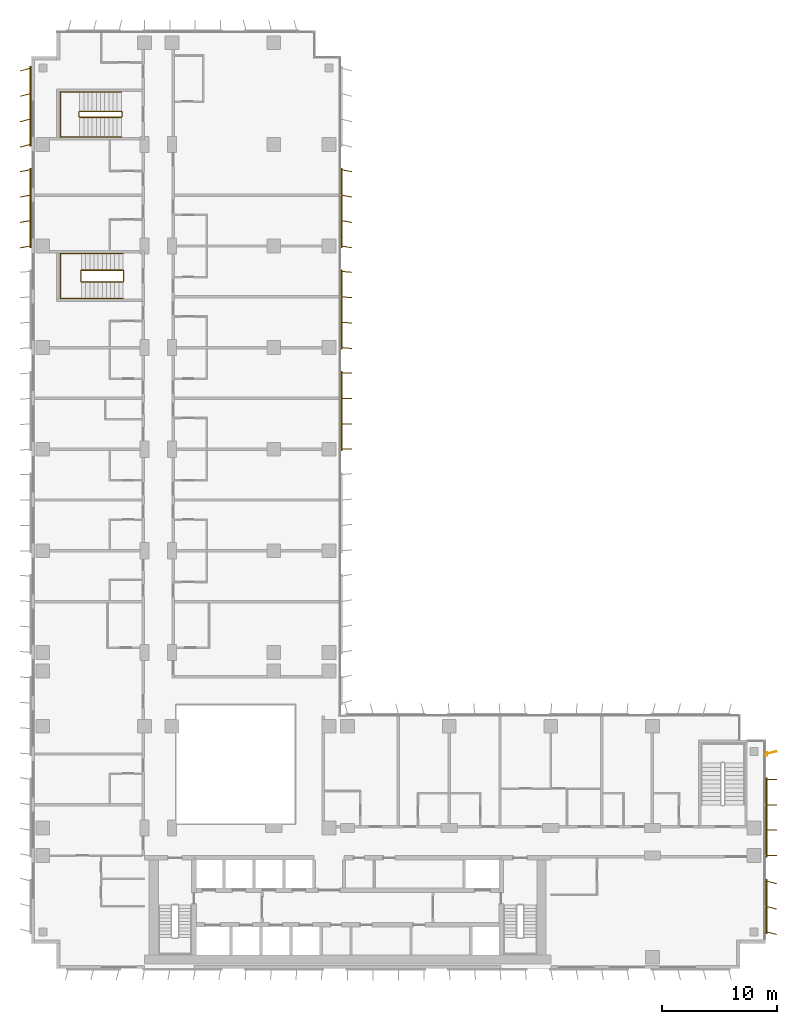
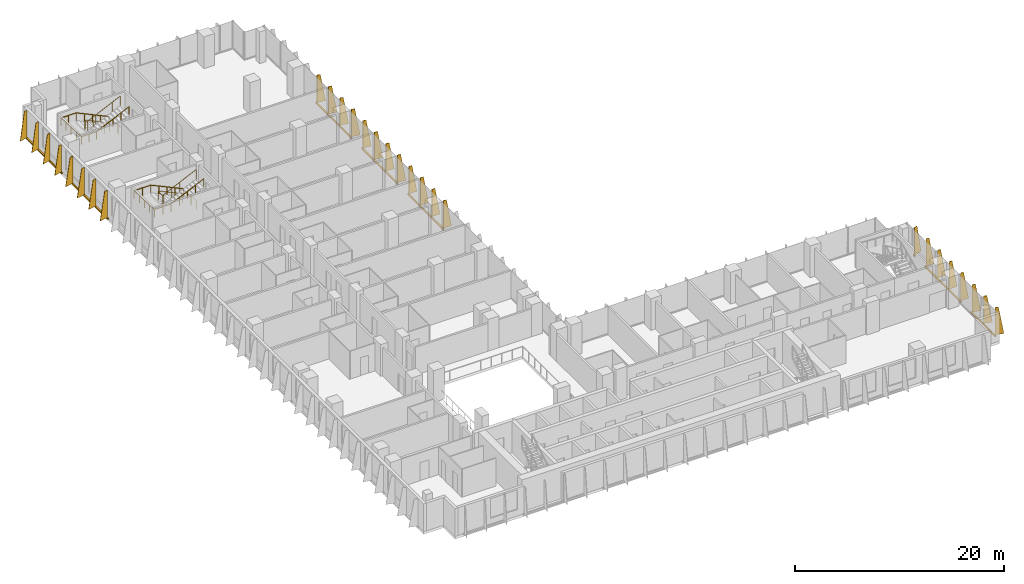
# One storey, part 21 of 22: 8 shading devices, 4 railings.
"""IFC4 building model written with IfcOpenShell, lengths in metres."""

from ifc_helpers import new_model, si_unit, direction, frame, origin, origin_2d, place, context, subcontext, project, spatial, polyline, rectangle, circle, outline, extrude, source, transform, mapped, material, layer, layer_set, type_object, element, save


model = new_model("IFC4")

# Units and contexts
model_context = context("Model", 3, precision=1e-05, world=origin(), true_north=direction((0.0, 1.0)))
body_context = subcontext(model_context, "Body", "Model", "MODEL_VIEW")
ifc_project = project(units=[si_unit("LENGTHUNIT", "METRE"), si_unit("AREAUNIT", "SQUARE_METRE"), si_unit("VOLUMEUNIT", "CUBIC_METRE"), si_unit("PLANEANGLEUNIT", "RADIAN"), si_unit("MASSUNIT", "GRAM", prefix="KILO")], contexts=[model_context])

# Site, building, storey
site_placement = place(None, origin())
site = spatial("IfcSite", under=ifc_project, at=site_placement, CompositionType="ELEMENT")
building_placement = place(site_placement, origin())
building = spatial("IfcBuilding", under=site, at=building_placement, Name="Kemantara Hotel Tower", CompositionType="ELEMENT")
storey_placement = place(building_placement, frame((0.0, 0.0, 129.60009765625)))
storey = spatial("IfcBuildingStorey", under=building, at=storey_placement, Name="L31", CompositionType="ELEMENT", Elevation=129.60009765625)

# Railings
ifc_material_1 = material(Name="Stainless steel balustrade", Category="steel")
railing_type_1 = type_object("IfcRailingType", Name="Stair guard 1100 mm", PredefinedType="GUARDRAIL", material=ifc_material_1)
railing_1_placement = place(storey_placement, frame((7.949951171875, 59.5, 3.699951171875)))
element("IfcRailing", 1, at=railing_1_placement, inside=storey, type_object=railing_type_1, Name="L31 ST4 stair guard 1", PredefinedType="GUARDRAIL", context=body_context, shape_type="SweptSolid", body=[
    extrude(circle(Radius=0.02392578125, at=origin_2d()), frame((0.0, 0.0, 1.076171875), z_axis=(-0.905994681025, 0.0, -0.423289071386), x_axis=(0.0, -1.0, 0.0)), (0.0, 0.0, 1.0), 3.973388671875),
    extrude(circle(Radius=0.02392578125, at=origin_2d()), frame((-3.599853515625, 0.0, -0.60595703125), z_axis=(-0.274243871929, 0.274243871929, -0.92172696468), x_axis=(-0.707106781187, -0.707106781187, 0.0)), (0.0, 0.0, 1.0), 0.1826171875),
    extrude(circle(Radius=0.02392578125, at=origin_2d()), frame((-3.64990234375, 0.050048828125, -0.77392578125), z_axis=(0.0, 1.0, 0.0), x_axis=(-1.0, 0.0, 0.0)), (0.0, 0.0, 1.0), 0.89990234375),
    extrude(circle(Radius=0.02392578125, at=origin_2d()), frame((-3.64990234375, 0.949951171875, -0.77392578125), z_axis=(0.707106781187, 0.707106781187, 0.0), x_axis=(-0.707106781187, 0.707106781187, 0.0)), (0.0, 0.0, 1.0), 0.07080078125),
    extrude(circle(Radius=0.02392578125, at=origin_2d()), frame((-3.599853515625, 1.0, -0.77392578125), z_axis=(0.905994681025, 0.0, -0.423289071386), x_axis=(0.0, 1.0, 0.0)), (0.0, 0.0, 1.0), 3.973388671875),
    extrude(circle(Radius=0.02392578125, at=origin_2d()), frame((0.0, 1.0, -2.4560546875), z_axis=(0.274582412415, -0.274582412415, -0.921525364591), x_axis=(0.707106781187, 0.707106781187, 0.0)), (0.0, 0.0, 1.0), 0.182373046875),
    extrude(circle(Radius=0.02392578125, at=origin_2d()), frame((0.050048828125, 0.949951171875, -2.6240234375), z_axis=(0.0, -1.0, 0.0), x_axis=(1.0, 0.0, 0.0)), (0.0, 0.0, 1.0), 0.89990234375),
    extrude(circle(Radius=0.02099609375, at=origin_2d()), origin(), (0.0, 0.0, 1.0), 1.052001953125),
    extrude(circle(Radius=0.02099609375, at=origin_2d()), frame((-0.89990234375, 0.0, -0.42041015625)), (0.0, 0.0, 1.0), 1.052001953125),
    extrude(circle(Radius=0.02099609375, at=origin_2d()), frame((-1.7998046875, 0.0, -0.8408203125)), (0.0, 0.0, 1.0), 1.052001953125),
    extrude(circle(Radius=0.02099609375, at=origin_2d()), frame((-2.699951171875, 0.0, -1.261474609375)), (0.0, 0.0, 1.0), 1.052001953125),
    extrude(circle(Radius=0.02099609375, at=origin_2d()), frame((-3.599853515625, 0.0, -1.681884765625)), (0.0, 0.0, 1.0), 1.052001953125),
    extrude(circle(Radius=0.02099609375, at=origin_2d()), frame((-3.64990234375, 0.050048828125, -1.85009765625)), (0.0, 0.0, 1.0), 1.052001953125),
    extrude(circle(Radius=0.02099609375, at=origin_2d()), frame((-3.64990234375, 0.949951171875, -1.85009765625)), (0.0, 0.0, 1.0), 1.052001953125),
    extrude(circle(Radius=0.02099609375, at=origin_2d()), frame((-3.599853515625, 1.0, -1.85009765625)), (0.0, 0.0, 1.0), 1.052001953125),
    extrude(circle(Radius=0.02099609375, at=origin_2d()), frame((-2.699951171875, 1.0, -2.2705078125)), (0.0, 0.0, 1.0), 1.052001953125),
    extrude(circle(Radius=0.02099609375, at=origin_2d()), frame((-1.7998046875, 1.0, -2.69091796875)), (0.0, 0.0, 1.0), 1.052001953125),
    extrude(circle(Radius=0.02099609375, at=origin_2d()), frame((-0.89990234375, 1.0, -3.111572265625)), (0.0, 0.0, 1.0), 1.052001953125),
    extrude(circle(Radius=0.02099609375, at=origin_2d()), frame((0.0, 1.0, -3.531982421875)), (0.0, 0.0, 1.0), 1.052001953125),
    extrude(circle(Radius=0.02099609375, at=origin_2d()), frame((0.050048828125, 0.949951171875, -3.699951171875)), (0.0, 0.0, 1.0), 1.052001953125),
    extrude(circle(Radius=0.02099609375, at=origin_2d()), frame((0.050048828125, 0.050048828125, -3.699951171875)), (0.0, 0.0, 1.0), 1.052001953125),
])
railing_2_placement = place(storey_placement, frame((7.800048828125, 73.75, 3.699951171875)))
element("IfcRailing", 2, at=railing_2_placement, inside=storey, type_object=railing_type_1, Name="L31 ST6 stair guard 1", PredefinedType="GUARDRAIL", context=body_context, shape_type="SweptSolid", body=[
    extrude(circle(Radius=0.02392578125, at=origin_2d()), frame((0.0, 0.0, 1.076171875), z_axis=(-0.906005689286, 0.0, -0.423265508849), x_axis=(0.0, -1.0, 0.0)), (0.0, 0.0, 1.0), 3.9736328125),
    extrude(circle(Radius=0.02392578125, at=origin_2d()), frame((-3.60009765625, 0.0, -0.60595703125), z_axis=(-0.274243871929, 0.274243871929, -0.92172696468), x_axis=(-0.707106781187, -0.707106781187, 0.0)), (0.0, 0.0, 1.0), 0.1826171875),
    extrude(circle(Radius=0.02392578125, at=origin_2d()), frame((-3.650146484375, 0.050048828125, -0.77392578125), z_axis=(0.0, 1.0, 0.0), x_axis=(-1.0, 0.0, 0.0)), (0.0, 0.0, 1.0), 0.39990234375),
    extrude(circle(Radius=0.02392578125, at=origin_2d()), frame((-3.650146484375, 0.449951171875, -0.77392578125), z_axis=(0.707106781187, 0.707106781187, 0.0), x_axis=(-0.707106781187, 0.707106781187, 0.0)), (0.0, 0.0, 1.0), 0.07080078125),
    extrude(circle(Radius=0.02392578125, at=origin_2d()), frame((-3.60009765625, 0.5, -0.77392578125), z_axis=(0.906005689286, 0.0, -0.423265508849), x_axis=(0.0, 1.0, 0.0)), (0.0, 0.0, 1.0), 3.9736328125),
    extrude(circle(Radius=0.02392578125, at=origin_2d()), frame((0.0, 0.5, -2.4560546875), z_axis=(0.274582412415, -0.274582412415, -0.921525364591), x_axis=(0.707106781187, 0.707106781187, 0.0)), (0.0, 0.0, 1.0), 0.182373046875),
    extrude(circle(Radius=0.02392578125, at=origin_2d()), frame((0.050048828125, 0.449951171875, -2.6240234375), z_axis=(0.0, -1.0, 0.0), x_axis=(1.0, 0.0, 0.0)), (0.0, 0.0, 1.0), 0.39990234375),
    extrude(circle(Radius=0.02099609375, at=origin_2d()), origin(), (0.0, 0.0, 1.0), 1.052001953125),
    extrude(circle(Radius=0.02099609375, at=origin_2d()), frame((-0.89990234375, 0.0, -0.42041015625)), (0.0, 0.0, 1.0), 1.052001953125),
    extrude(circle(Radius=0.02099609375, at=origin_2d()), frame((-1.800048828125, 0.0, -0.8408203125)), (0.0, 0.0, 1.0), 1.052001953125),
    extrude(circle(Radius=0.02099609375, at=origin_2d()), frame((-2.7001953125, 0.0, -1.261474609375)), (0.0, 0.0, 1.0), 1.052001953125),
    extrude(circle(Radius=0.02099609375, at=origin_2d()), frame((-3.60009765625, 0.0, -1.681884765625)), (0.0, 0.0, 1.0), 1.052001953125),
    extrude(circle(Radius=0.02099609375, at=origin_2d()), frame((-3.650146484375, 0.050048828125, -1.85009765625)), (0.0, 0.0, 1.0), 1.052001953125),
    extrude(circle(Radius=0.02099609375, at=origin_2d()), frame((-3.650146484375, 0.449951171875, -1.85009765625)), (0.0, 0.0, 1.0), 1.052001953125),
    extrude(circle(Radius=0.02099609375, at=origin_2d()), frame((-3.60009765625, 0.5, -1.85009765625)), (0.0, 0.0, 1.0), 1.052001953125),
    extrude(circle(Radius=0.02099609375, at=origin_2d()), frame((-2.7001953125, 0.5, -2.2705078125)), (0.0, 0.0, 1.0), 1.052001953125),
    extrude(circle(Radius=0.02099609375, at=origin_2d()), frame((-1.800048828125, 0.5, -2.69091796875)), (0.0, 0.0, 1.0), 1.052001953125),
    extrude(circle(Radius=0.02099609375, at=origin_2d()), frame((-0.89990234375, 0.5, -3.111572265625)), (0.0, 0.0, 1.0), 1.052001953125),
    extrude(circle(Radius=0.02099609375, at=origin_2d()), frame((0.0, 0.5, -3.531982421875)), (0.0, 0.0, 1.0), 1.052001953125),
    extrude(circle(Radius=0.02099609375, at=origin_2d()), frame((0.050048828125, 0.449951171875, -3.699951171875)), (0.0, 0.0, 1.0), 1.052001953125),
    extrude(circle(Radius=0.02099609375, at=origin_2d()), frame((0.050048828125, 0.050048828125, -3.699951171875)), (0.0, 0.0, 1.0), 1.052001953125),
])
railing_type_2 = type_object("IfcRailingType", Name="Stair handrail 900 mm", PredefinedType="HANDRAIL", material=ifc_material_1)
railing_3_placement = place(storey_placement, frame((7.949951171875, 61.949951171875, 0.16796875)))
element("IfcRailing", 3, at=railing_3_placement, inside=storey, type_object=railing_type_2, Name="L31 ST4 stair handrail 1", PredefinedType="HANDRAIL", context=body_context, shape_type="SweptSolid", body=[
    extrude(circle(Radius=0.02392578125, at=origin_2d()), frame((0.0, 0.0, 0.8759765625), z_axis=(-0.905994681025, 0.0, 0.423289071386), x_axis=(0.0, -1.0, 0.0)), (0.0, 0.0, 1.0), 3.973388671875),
    extrude(circle(Radius=0.02392578125, at=origin_2d()), frame((-3.599853515625, 0.0, 2.5576171875), z_axis=(-1.0, 0.0, 0.0), x_axis=(0.0, -1.0, 0.0)), (0.0, 0.0, 1.0), 1.830078125),
    extrude(circle(Radius=0.02392578125, at=origin_2d()), frame((-5.429931640625, 0.0, 2.5576171875), z_axis=(0.0, -0.999071085748, 0.043092523981), x_axis=(1.0, 0.0, 0.0)), (0.0, 0.0, 1.0), 3.903564453125),
    extrude(circle(Radius=0.02392578125, at=origin_2d()), frame((-5.429931640625, -3.89990234375, 2.72607421875), z_axis=(1.0, 0.0, 0.0), x_axis=(0.0, 1.0, 0.0)), (0.0, 0.0, 1.0), 1.830078125),
    extrude(circle(Radius=0.02392578125, at=origin_2d()), frame((-3.599853515625, -3.89990234375, 2.72607421875), z_axis=(0.905994681025, 0.0, 0.423289071386), x_axis=(0.0, 1.0, 0.0)), (0.0, 0.0, 1.0), 3.973388671875),
    extrude(circle(Radius=0.02099609375, at=origin_2d()), origin(), (0.0, 0.0, 1.0), 0.851806640625),
    extrude(circle(Radius=0.02099609375, at=origin_2d()), frame((-0.89990234375, 0.0, 0.42041015625)), (0.0, 0.0, 1.0), 0.851806640625),
    extrude(circle(Radius=0.02099609375, at=origin_2d()), frame((-1.7998046875, 0.0, 0.8408203125)), (0.0, 0.0, 1.0), 0.851806640625),
    extrude(circle(Radius=0.02099609375, at=origin_2d()), frame((-2.699951171875, 0.0, 1.261474609375)), (0.0, 0.0, 1.0), 0.851806640625),
    extrude(circle(Radius=0.02099609375, at=origin_2d()), frame((-3.599853515625, 0.0, 1.681884765625)), (0.0, 0.0, 1.0), 0.851806640625),
    extrude(circle(Radius=0.02099609375, at=origin_2d()), frame((-4.514892578125, 0.0, 1.681884765625)), (0.0, 0.0, 1.0), 0.851806640625),
    extrude(circle(Radius=0.02099609375, at=origin_2d()), frame((-5.429931640625, 0.0, 1.681884765625)), (0.0, 0.0, 1.0), 0.851806640625),
    extrude(circle(Radius=0.02099609375, at=origin_2d()), frame((-5.429931640625, -0.97509765625, 1.723876953125)), (0.0, 0.0, 1.0), 0.851806640625),
    extrude(circle(Radius=0.02099609375, at=origin_2d()), frame((-5.429931640625, -1.949951171875, 1.76611328125)), (0.0, 0.0, 1.0), 0.851806640625),
    extrude(circle(Radius=0.02099609375, at=origin_2d()), frame((-5.429931640625, -2.9248046875, 1.80810546875)), (0.0, 0.0, 1.0), 0.851806640625),
    extrude(circle(Radius=0.02099609375, at=origin_2d()), frame((-5.429931640625, -3.89990234375, 1.85009765625)), (0.0, 0.0, 1.0), 0.851806640625),
    extrude(circle(Radius=0.02099609375, at=origin_2d()), frame((-4.514892578125, -3.89990234375, 1.85009765625)), (0.0, 0.0, 1.0), 0.851806640625),
    extrude(circle(Radius=0.02099609375, at=origin_2d()), frame((-3.599853515625, -3.89990234375, 1.85009765625)), (0.0, 0.0, 1.0), 0.851806640625),
    extrude(circle(Radius=0.02099609375, at=origin_2d()), frame((-2.699951171875, -3.89990234375, 2.2705078125)), (0.0, 0.0, 1.0), 0.851806640625),
    extrude(circle(Radius=0.02099609375, at=origin_2d()), frame((-1.7998046875, -3.89990234375, 2.69091796875)), (0.0, 0.0, 1.0), 0.851806640625),
    extrude(circle(Radius=0.02099609375, at=origin_2d()), frame((-0.89990234375, -3.89990234375, 3.111572265625)), (0.0, 0.0, 1.0), 0.851806640625),
    extrude(circle(Radius=0.02099609375, at=origin_2d()), frame((0.0, -3.89990234375, 3.531982421875)), (0.0, 0.0, 1.0), 0.851806640625),
])
railing_4_placement = place(storey_placement, frame((7.800048828125, 75.949951171875, 0.16796875)))
element("IfcRailing", 4, at=railing_4_placement, inside=storey, type_object=railing_type_2, Name="L31 ST6 stair handrail 1", PredefinedType="HANDRAIL", context=body_context, shape_type="SweptSolid", body=[
    extrude(circle(Radius=0.02392578125, at=origin_2d()), frame((0.0, 0.0, 0.8759765625), z_axis=(-0.906005689286, 0.0, 0.423265508849), x_axis=(0.0, -1.0, 0.0)), (0.0, 0.0, 1.0), 3.9736328125),
    extrude(circle(Radius=0.02392578125, at=origin_2d()), frame((-3.60009765625, 0.0, 2.5576171875), z_axis=(-1.0, 0.0, 0.0), x_axis=(0.0, -1.0, 0.0)), (0.0, 0.0, 1.0), 1.679931640625),
    extrude(circle(Radius=0.02392578125, at=origin_2d()), frame((-5.280029296875, 0.0, 2.5576171875), z_axis=(0.0, -0.999071085748, 0.043092523981), x_axis=(1.0, 0.0, 0.0)), (0.0, 0.0, 1.0), 3.903564453125),
    extrude(circle(Radius=0.02392578125, at=origin_2d()), frame((-5.280029296875, -3.89990234375, 2.72607421875), z_axis=(1.0, 0.0, 0.0), x_axis=(0.0, 1.0, 0.0)), (0.0, 0.0, 1.0), 1.679931640625),
    extrude(circle(Radius=0.02392578125, at=origin_2d()), frame((-3.60009765625, -3.89990234375, 2.72607421875), z_axis=(0.906005689286, 0.0, 0.423265508849), x_axis=(0.0, 1.0, 0.0)), (0.0, 0.0, 1.0), 3.9736328125),
    extrude(circle(Radius=0.02099609375, at=origin_2d()), origin(), (0.0, 0.0, 1.0), 0.851806640625),
    extrude(circle(Radius=0.02099609375, at=origin_2d()), frame((-0.89990234375, 0.0, 0.42041015625)), (0.0, 0.0, 1.0), 0.851806640625),
    extrude(circle(Radius=0.02099609375, at=origin_2d()), frame((-1.800048828125, 0.0, 0.8408203125)), (0.0, 0.0, 1.0), 0.851806640625),
    extrude(circle(Radius=0.02099609375, at=origin_2d()), frame((-2.7001953125, 0.0, 1.261474609375)), (0.0, 0.0, 1.0), 0.851806640625),
    extrude(circle(Radius=0.02099609375, at=origin_2d()), frame((-3.60009765625, 0.0, 1.681884765625)), (0.0, 0.0, 1.0), 0.851806640625),
    extrude(circle(Radius=0.02099609375, at=origin_2d()), frame((-4.43994140625, 0.0, 1.681884765625)), (0.0, 0.0, 1.0), 0.851806640625),
    extrude(circle(Radius=0.02099609375, at=origin_2d()), frame((-5.280029296875, 0.0, 1.681884765625)), (0.0, 0.0, 1.0), 0.851806640625),
    extrude(circle(Radius=0.02099609375, at=origin_2d()), frame((-5.280029296875, -0.97509765625, 1.723876953125)), (0.0, 0.0, 1.0), 0.851806640625),
    extrude(circle(Radius=0.02099609375, at=origin_2d()), frame((-5.280029296875, -1.949951171875, 1.76611328125)), (0.0, 0.0, 1.0), 0.851806640625),
    extrude(circle(Radius=0.02099609375, at=origin_2d()), frame((-5.280029296875, -2.9248046875, 1.80810546875)), (0.0, 0.0, 1.0), 0.851806640625),
    extrude(circle(Radius=0.02099609375, at=origin_2d()), frame((-5.280029296875, -3.89990234375, 1.85009765625)), (0.0, 0.0, 1.0), 0.851806640625),
    extrude(circle(Radius=0.02099609375, at=origin_2d()), frame((-4.43994140625, -3.89990234375, 1.85009765625)), (0.0, 0.0, 1.0), 0.851806640625),
    extrude(circle(Radius=0.02099609375, at=origin_2d()), frame((-3.60009765625, -3.89990234375, 1.85009765625)), (0.0, 0.0, 1.0), 0.851806640625),
    extrude(circle(Radius=0.02099609375, at=origin_2d()), frame((-2.7001953125, -3.89990234375, 2.2705078125)), (0.0, 0.0, 1.0), 0.851806640625),
    extrude(circle(Radius=0.02099609375, at=origin_2d()), frame((-1.800048828125, -3.89990234375, 2.69091796875)), (0.0, 0.0, 1.0), 0.851806640625),
    extrude(circle(Radius=0.02099609375, at=origin_2d()), frame((-0.89990234375, -3.89990234375, 3.111572265625)), (0.0, 0.0, 1.0), 0.851806640625),
    extrude(circle(Radius=0.02099609375, at=origin_2d()), frame((0.0, -3.89990234375, 3.531982421875)), (0.0, 0.0, 1.0), 0.851806640625),
])

# Shading devices
ifc_material_2 = material(Name="Perforated aluminium plate 4 mm bronze anodised", Category="aluminium")
ifc_layer_1 = layer(ifc_material_2, 0.0400390625)
ifc_layer_set_1 = layer_set([ifc_layer_1], Name="Perforated aluminium plate 4 mm bronze anodised")
shading_device_type_1 = type_object("IfcShadingDeviceType", Name="SCREEN FIN CASSETTE, 3 BLADES AT -15.0 DEG, 3200 HIGH", PredefinedType="USERDEFINED", material=ifc_layer_set_1)
shared_shape_1 = source(origin(), body_context, "Body", "SweptSolid", [
    extrude(rectangle(XDim=4.699951171875, YDim=0.14990234375, at=origin_2d()), frame((2.199951171875, -0.074951171875, -0.14990234375), z_axis=(0.0, 0.0, 1.0), x_axis=(1.0, 0.0, 0.0)), (0.0, 0.0, 1.0), 0.14990234375),
    extrude(outline(polyline([(0.0, 0.0), (0.89990234375, 0.0), (0.35009765625, 3.199951171875), (0.0, 3.199951171875), (0.0, 0.0)])), frame((0.019287109375, -0.080078125, 0.0), z_axis=(-0.966437683387, 0.256901156343, 0.0), x_axis=(-0.256901156343, -0.966437683387, 0.0)), (0.0, 0.0, 1.0), 0.039794921875),
    extrude(outline(polyline([(0.0, 0.0), (0.89990234375, 0.0), (0.35009765625, 3.199951171875), (0.0, 3.199951171875), (0.0, 0.0)])), frame((2.21923828125, -0.080078125, 0.0), z_axis=(-0.966437683387, 0.256901156343, 0.0), x_axis=(-0.256901156343, -0.966437683387, 0.0)), (0.0, 0.0, 1.0), 0.039794921875),
    extrude(outline(polyline([(0.0, 0.0), (0.89990234375, 0.0), (0.35009765625, 3.199951171875), (0.0, 3.199951171875), (0.0, 0.0)])), frame((4.41943359375, -0.080078125, 0.0), z_axis=(-0.966837822169, 0.255391122837, 0.0), x_axis=(-0.255391122837, -0.966837822169, 0.0)), (0.0, 0.0, 1.0), 0.0400390625),
])
shading_device_1_placement = place(storey_placement, frame((63.60009765625, 3.199951171875, 0.099853515625), z_axis=(0.0, 0.0, 1.0), x_axis=(0.0, 1.0, 0.0)))
element("IfcShadingDevice", 5, at=shading_device_1_placement, inside=storey, type_object=shading_device_type_1, Name="SCREEN FIN CASSETTE L31 T2-R10-1", ObjectType="SCREEN FIN", PredefinedType="USERDEFINED", context=body_context, shape_type="MappedRepresentation", body=[
    mapped(shared_shape_1, transform((0.0, 0.0, 0.0))),
])
ifc_layer_2 = layer(ifc_material_2, 0.0400390625)
ifc_layer_set_2 = layer_set([ifc_layer_2], Name="Perforated aluminium plate 4 mm bronze anodised")
shading_device_type_2 = type_object("IfcShadingDeviceType", Name="SCREEN FIN CASSETTE, 4 BLADES AT -10.0 DEG, 3200 HIGH", PredefinedType="USERDEFINED", material=ifc_layer_set_2)
shared_shape_2 = source(origin(), body_context, "Body", "SweptSolid", [
    extrude(rectangle(XDim=6.89990234375, YDim=0.14990234375, at=origin_2d()), frame((3.300048828125, -0.074951171875, -0.14990234375), z_axis=(0.0, 0.0, 1.0), x_axis=(1.0, 0.0, 0.0)), (0.0, 0.0, 1.0), 0.14990234375),
    extrude(outline(polyline([(0.0, 0.0), (0.89990234375, 0.0), (0.35009765625, 3.199951171875), (0.0, 3.199951171875), (0.0, 0.0)])), frame((0.019775390625, -0.078369140625, 0.0), z_axis=(-0.985389793052, 0.170314285219, 0.0), x_axis=(-0.170314285219, -0.985389793052, 0.0)), (0.0, 0.0, 1.0), 0.0400390625),
    extrude(outline(polyline([(0.0, 0.0), (0.89990234375, 0.0), (0.35009765625, 3.199951171875), (0.0, 3.199951171875), (0.0, 0.0)])), frame((2.2197265625, -0.078369140625, 0.0), z_axis=(-0.98521175482, 0.171341174751, 0.0), x_axis=(-0.171341174751, -0.98521175482, 0.0)), (0.0, 0.0, 1.0), 0.039794921875),
    extrude(outline(polyline([(0.0, 0.0), (0.89990234375, 0.0), (0.35009765625, 3.199951171875), (0.0, 3.199951171875), (0.0, 0.0)])), frame((4.419677734375, -0.078369140625, 0.0), z_axis=(-0.98521175482, 0.171341174751, 0.0), x_axis=(-0.171341174751, -0.98521175482, 0.0)), (0.0, 0.0, 1.0), 0.039794921875),
    extrude(outline(polyline([(0.0, 0.0), (0.89990234375, 0.0), (0.35009765625, 3.199951171875), (0.0, 3.199951171875), (0.0, 0.0)])), frame((6.61962890625, -0.078369140625, 0.0), z_axis=(-0.98521175482, 0.171341174751, 0.0), x_axis=(-0.171341174751, -0.98521175482, 0.0)), (0.0, 0.0, 1.0), 0.039794921875),
])
shading_device_2_placement = place(storey_placement, frame((26.800048828125, 62.60009765625, 0.099853515625), z_axis=(0.0, 0.0, 1.0), x_axis=(0.0, 1.0, 0.0)))
element("IfcShadingDevice", 6, at=shading_device_2_placement, inside=storey, type_object=shading_device_type_2, Name="SCREEN FIN CASSETTE L31 T2-R14-6", ObjectType="SCREEN FIN", PredefinedType="USERDEFINED", context=body_context, shape_type="MappedRepresentation", body=[
    mapped(shared_shape_2, transform((0.0, 0.0, 0.0))),
])
ifc_layer_3 = layer(ifc_material_2, 0.0400390625)
ifc_layer_set_3 = layer_set([ifc_layer_3], Name="Perforated aluminium plate 4 mm bronze anodised")
shading_device_type_3 = type_object("IfcShadingDeviceType", Name="SCREEN FIN CASSETTE, 4 BLADES AT -5.0 DEG, 3200 HIGH", PredefinedType="USERDEFINED", material=ifc_layer_set_3)
shared_shape_3 = source(origin(), body_context, "Body", "SweptSolid", [
    extrude(rectangle(XDim=6.89990234375, YDim=0.14990234375, at=origin_2d()), frame((3.300048828125, -0.074951171875, -0.14990234375), z_axis=(0.0, 0.0, 1.0), x_axis=(1.0, 0.0, 0.0)), (0.0, 0.0, 1.0), 0.14990234375),
    extrude(outline(polyline([(0.0, 0.0), (0.89990234375, 0.0), (0.35009765625, 3.199951171875), (0.0, 3.199951171875), (0.0, 0.0)])), frame((0.02001953125, -0.07666015625, 0.0), z_axis=(-0.996376129781, 0.085056498884, 0.0), x_axis=(-0.085056498884, -0.996376129781, 0.0)), (0.0, 0.0, 1.0), 0.040283203125),
    extrude(outline(polyline([(0.0, 0.0), (0.89990234375, 0.0), (0.35009765625, 3.199951171875), (0.0, 3.199951171875), (0.0, 0.0)])), frame((2.219970703125, -0.07666015625, 0.0), z_axis=(-0.996331773833, 0.085574508182, 0.0), x_axis=(-0.085574508182, -0.996331773833, 0.0)), (0.0, 0.0, 1.0), 0.0400390625),
    extrude(outline(polyline([(0.0, 0.0), (0.89990234375, 0.0), (0.35009765625, 3.199951171875), (0.0, 3.199951171875), (0.0, 0.0)])), frame((4.419921875, -0.07666015625, 0.0), z_axis=(-0.996331773833, 0.085574508182, 0.0), x_axis=(-0.085574508182, -0.996331773833, 0.0)), (0.0, 0.0, 1.0), 0.0400390625),
    extrude(outline(polyline([(0.0, 0.0), (0.89990234375, 0.0), (0.35009765625, 3.199951171875), (0.0, 3.199951171875), (0.0, 0.0)])), frame((6.619873046875, -0.07666015625, 0.0), z_axis=(-0.996331773833, 0.085574508182, 0.0), x_axis=(-0.085574508182, -0.996331773833, 0.0)), (0.0, 0.0, 1.0), 0.0400390625),
])
shading_device_3_placement = place(storey_placement, frame((26.800048828125, 53.800048828125, 0.099853515625), z_axis=(0.0, 0.0, 1.0), x_axis=(0.0, 1.0, 0.0)))
element("IfcShadingDevice", 7, at=shading_device_3_placement, inside=storey, type_object=shading_device_type_3, Name="SCREEN FIN CASSETTE L31 T2-R14-5", ObjectType="SCREEN FIN", PredefinedType="USERDEFINED", context=body_context, shape_type="MappedRepresentation", body=[
    mapped(shared_shape_3, transform((0.0, 0.0, 0.0))),
])
ifc_layer_4 = layer(ifc_material_2, 0.0400390625)
ifc_layer_set_4 = layer_set([ifc_layer_4], Name="Perforated aluminium plate 4 mm bronze anodised")
shading_device_type_4 = type_object("IfcShadingDeviceType", Name="SCREEN FIN CASSETTE, 4 BLADES AT +0.0 DEG, 3200 HIGH", PredefinedType="USERDEFINED", material=ifc_layer_set_4)
shared_shape_4 = source(origin(), body_context, "Body", "SweptSolid", [
    extrude(rectangle(XDim=6.89990234375, YDim=0.14990234375, at=origin_2d()), frame((3.300048828125, -0.074951171875, -0.14990234375), z_axis=(0.0, 0.0, 1.0), x_axis=(1.0, 0.0, 0.0)), (0.0, 0.0, 1.0), 0.14990234375),
    extrude(outline(polyline([(0.0, 0.0), (0.89990234375, 0.0), (0.35009765625, 3.199951171875), (0.0, 3.199951171875), (0.0, 0.0)])), frame((0.02001953125, -0.074951171875, 0.0), z_axis=(-1.0, 0.0, 0.0), x_axis=(0.0, -1.0, 0.0)), (0.0, 0.0, 1.0), 0.0400390625),
    extrude(outline(polyline([(0.0, 0.0), (0.89990234375, 0.0), (0.35009765625, 3.199951171875), (0.0, 3.199951171875), (0.0, 0.0)])), frame((2.219970703125, -0.074951171875, 0.0), z_axis=(-1.0, 0.0, 0.0), x_axis=(0.0, -1.0, 0.0)), (0.0, 0.0, 1.0), 0.0400390625),
    extrude(outline(polyline([(0.0, 0.0), (0.89990234375, 0.0), (0.35009765625, 3.199951171875), (0.0, 3.199951171875), (0.0, 0.0)])), frame((4.419921875, -0.074951171875, 0.0), z_axis=(-1.0, 0.0, 0.0), x_axis=(0.0, -1.0, 0.0)), (0.0, 0.0, 1.0), 0.0400390625),
    extrude(outline(polyline([(0.0, 0.0), (0.89990234375, 0.0), (0.35009765625, 3.199951171875), (0.0, 3.199951171875), (0.0, 0.0)])), frame((6.6201171875, -0.074951171875, 0.0), z_axis=(-1.0, 0.0, 0.0), x_axis=(0.0, -1.0, 0.0)), (0.0, 0.0, 1.0), 0.0400390625),
])
for number, where, z_axis, x_axis, name in (
    (8, (63.60009765625, 9.800048828125, 0.099853515625), (0.0, 0.0, 1.0), (0.0, 1.0, 0.0), "SCREEN FIN CASSETTE L31 T2-R10-2"),
    (9, (26.800048828125, 45.0, 0.099853515625), (0.0, 0.0, 1.0), (0.0, 1.0, 0.0), "SCREEN FIN CASSETTE L31 T2-R14-4"),
):
    element("IfcShadingDevice", number, at=place(storey_placement, frame(where, z_axis=z_axis, x_axis=x_axis)), inside=storey, type_object=shading_device_type_4, Name=name, ObjectType="SCREEN FIN", PredefinedType="USERDEFINED", context=body_context, shape_type="MappedRepresentation", body=[
        mapped(shared_shape_4, transform((0.0, 0.0, 0.0))),
    ])
ifc_layer_5 = layer(ifc_material_2, 0.0400390625)
ifc_layer_set_5 = layer_set([ifc_layer_5], Name="Perforated aluminium plate 4 mm bronze anodised")
shading_device_type_5 = type_object("IfcShadingDeviceType", Name="SCREEN FIN CASSETTE, 4 BLADES AT +10.0 DEG, 3200 HIGH", PredefinedType="USERDEFINED", material=ifc_layer_set_5)
shared_shape_5 = source(origin(), body_context, "Body", "SweptSolid", [
    extrude(rectangle(XDim=6.89990234375, YDim=0.14990234375, at=origin_2d()), frame((3.300048828125, -0.074951171875, -0.14990234375), z_axis=(0.0, 0.0, 1.0), x_axis=(1.0, 0.0, 0.0)), (0.0, 0.0, 1.0), 0.14990234375),
    extrude(outline(polyline([(0.0, 0.0), (0.89990234375, 0.0), (0.35009765625, 3.199951171875), (0.0, 3.199951171875), (0.0, 0.0)])), frame((0.019775390625, -0.071533203125, 0.0), z_axis=(-0.985389793052, -0.170314285219, 0.0), x_axis=(0.170314285219, -0.985389793052, 0.0)), (0.0, 0.0, 1.0), 0.0400390625),
    extrude(outline(polyline([(0.0, 0.0), (0.89990234375, 0.0), (0.35009765625, 3.199951171875), (0.0, 3.199951171875), (0.0, 0.0)])), frame((2.2197265625, -0.071533203125, 0.0), z_axis=(-0.98521175482, -0.171341174751, 0.0), x_axis=(0.171341174751, -0.98521175482, 0.0)), (0.0, 0.0, 1.0), 0.039794921875),
    extrude(outline(polyline([(0.0, 0.0), (0.89990234375, 0.0), (0.35009765625, 3.199951171875), (0.0, 3.199951171875), (0.0, 0.0)])), frame((4.419677734375, -0.071533203125, 0.0), z_axis=(-0.98521175482, -0.171341174751, 0.0), x_axis=(0.171341174751, -0.98521175482, 0.0)), (0.0, 0.0, 1.0), 0.039794921875),
    extrude(outline(polyline([(0.0, 0.0), (0.89990234375, 0.0), (0.35009765625, 3.199951171875), (0.0, 3.199951171875), (0.0, 0.0)])), frame((6.61962890625, -0.071533203125, 0.0), z_axis=(-0.98521175482, -0.171341174751, 0.0), x_axis=(0.171341174751, -0.98521175482, 0.0)), (0.0, 0.0, 1.0), 0.039794921875),
])
shading_device_4_placement = place(storey_placement, frame((0.0, 69.199951171875, 0.099853515625), z_axis=(0.0, 0.0, 1.0), x_axis=(0.0, -1.0, 0.0)))
element("IfcShadingDevice", 10, at=shading_device_4_placement, inside=storey, type_object=shading_device_type_5, Name="SCREEN FIN CASSETTE L31 T2-R04-2", ObjectType="SCREEN FIN", PredefinedType="USERDEFINED", context=body_context, shape_type="MappedRepresentation", body=[
    mapped(shared_shape_5, transform((0.0, 0.0, 0.0))),
])
ifc_layer_6 = layer(ifc_material_2, 0.0400390625)
ifc_layer_set_6 = layer_set([ifc_layer_6], Name="Perforated aluminium plate 4 mm bronze anodised")
shading_device_type_6 = type_object("IfcShadingDeviceType", Name="SCREEN FIN CASSETTE, 4 BLADES AT +15.0 DEG, 3200 HIGH", PredefinedType="USERDEFINED", material=ifc_layer_set_6)
shared_shape_6 = source(origin(), body_context, "Body", "SweptSolid", [
    extrude(rectangle(XDim=6.89990234375, YDim=0.14990234375, at=origin_2d()), frame((3.300048828125, -0.074951171875, -0.14990234375), z_axis=(0.0, 0.0, 1.0), x_axis=(1.0, 0.0, 0.0)), (0.0, 0.0, 1.0), 0.14990234375),
    extrude(outline(polyline([(0.0, 0.0), (0.89990234375, 0.0), (0.35009765625, 3.199951171875), (0.0, 3.199951171875), (0.0, 0.0)])), frame((0.019287109375, -0.06982421875, 0.0), z_axis=(-0.966437683387, -0.256901156343, 0.0), x_axis=(0.256901156343, -0.966437683387, 0.0)), (0.0, 0.0, 1.0), 0.039794921875),
    extrude(outline(polyline([(0.0, 0.0), (0.89990234375, 0.0), (0.35009765625, 3.199951171875), (0.0, 3.199951171875), (0.0, 0.0)])), frame((2.21923828125, -0.06982421875, 0.0), z_axis=(-0.966437683387, -0.256901156343, 0.0), x_axis=(0.256901156343, -0.966437683387, 0.0)), (0.0, 0.0, 1.0), 0.039794921875),
    extrude(outline(polyline([(0.0, 0.0), (0.89990234375, 0.0), (0.35009765625, 3.199951171875), (0.0, 3.199951171875), (0.0, 0.0)])), frame((4.41943359375, -0.06982421875, 0.0), z_axis=(-0.966837822169, -0.255391122837, 0.0), x_axis=(0.255391122837, -0.966837822169, 0.0)), (0.0, 0.0, 1.0), 0.0400390625),
    extrude(outline(polyline([(0.0, 0.0), (0.89990234375, 0.0), (0.35009765625, 3.199951171875), (0.0, 3.199951171875), (0.0, 0.0)])), frame((6.619384765625, -0.06982421875, 0.0), z_axis=(-0.966837822169, -0.255391122837, 0.0), x_axis=(0.255391122837, -0.966837822169, 0.0)), (0.0, 0.0, 1.0), 0.0400390625),
])
shading_device_5_placement = place(storey_placement, frame((0.0, 78.0, 0.099853515625), z_axis=(0.0, 0.0, 1.0), x_axis=(0.0, -1.0, 0.0)))
element("IfcShadingDevice", 11, at=shading_device_5_placement, inside=storey, type_object=shading_device_type_6, Name="SCREEN FIN CASSETTE L31 T2-R04-1", ObjectType="SCREEN FIN", PredefinedType="USERDEFINED", context=body_context, shape_type="MappedRepresentation", body=[
    mapped(shared_shape_6, transform((0.0, 0.0, 0.0))),
])
ifc_layer_7 = layer(ifc_material_2, 0.0400390625)
ifc_layer_set_7 = layer_set([ifc_layer_7], Name="Perforated aluminium plate 4 mm bronze anodised")
shading_device_type_7 = type_object("IfcShadingDeviceType", Name="SCREEN FIN CASSETTE, 1 BLADE AT +15.0 DEG, 3200 HIGH", PredefinedType="USERDEFINED", material=ifc_layer_set_7)
shared_shape_7 = source(origin(), body_context, "Body", "SweptSolid", [
    extrude(rectangle(XDim=0.300048828125, YDim=0.14990234375, at=origin_2d()), frame((0.0, -0.074951171875, -0.14990234375), z_axis=(0.0, 0.0, 1.0), x_axis=(1.0, 0.0, 0.0)), (0.0, 0.0, 1.0), 0.14990234375),
    extrude(outline(polyline([(0.0, 0.0), (0.89990234375, 0.0), (0.35009765625, 3.199951171875), (0.0, 3.199951171875), (0.0, 0.0)])), frame((0.019287109375, -0.06982421875, 0.0), z_axis=(-0.966437683387, -0.256901156343, 0.0), x_axis=(0.256901156343, -0.966437683387, 0.0)), (0.0, 0.0, 1.0), 0.039794921875),
])
shading_device_6_placement = place(storey_placement, frame((63.60009765625, 18.60009765625, 0.099853515625), z_axis=(0.0, 0.0, 1.0), x_axis=(0.0, 1.0, 0.0)))
element("IfcShadingDevice", 12, at=shading_device_6_placement, inside=storey, type_object=shading_device_type_7, Name="SCREEN FIN CASSETTE L31 T2-R10-3", ObjectType="SCREEN FIN", PredefinedType="USERDEFINED", context=body_context, shape_type="MappedRepresentation", body=[
    mapped(shared_shape_7, transform((0.0, 0.0, 0.0))),
])

save(model, "model.ifc")
